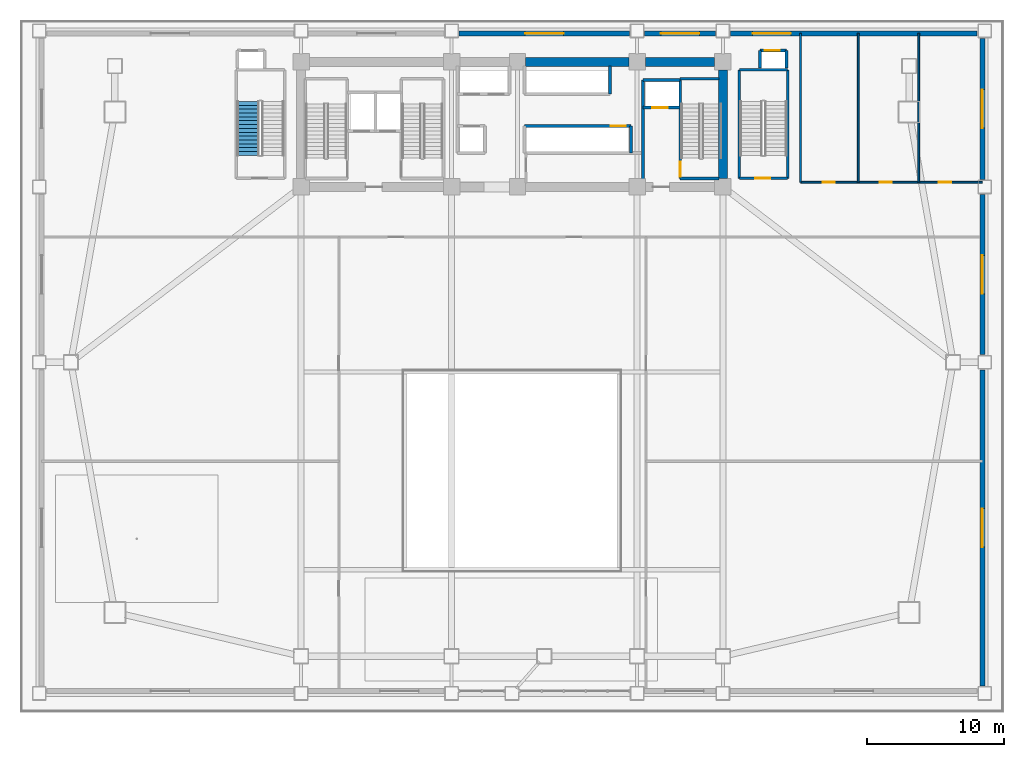
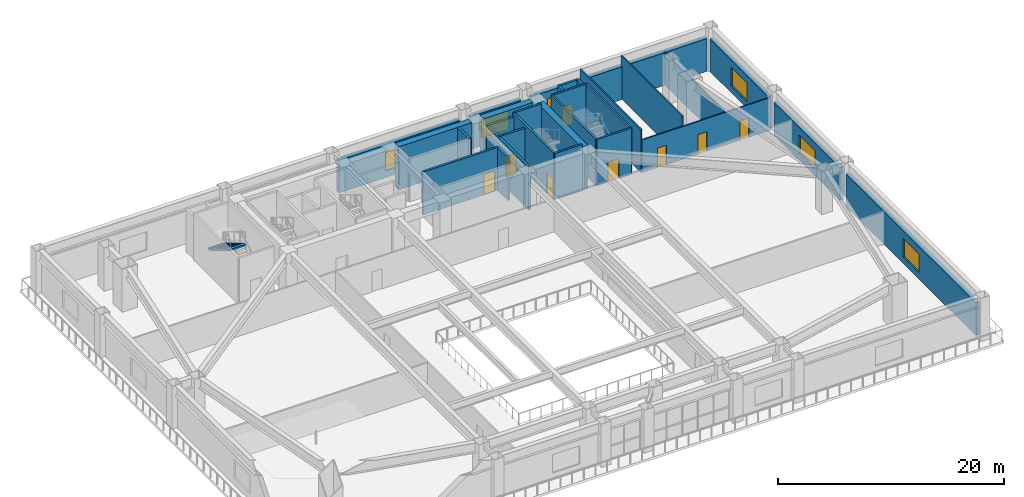
# One storey, part 8 of 14: 29 walls, 8 doors, 6 windows, 1 stair flight, 14 openings, 1 element without a shape of its own.
"""IFC4 building model written with IfcOpenShell, lengths in metres."""

from ifc_helpers import new_model, si_unit, direction, frame, frame_2d, origin, place, context, subcontext, project, spatial, polyline, rectangle, outline, extrude, source, transform, mapped, material, layer, layer_set, type_object, element, fill, aggregate, save


model = new_model("IFC4")

# Units and contexts
model_context = context("Model", 3, precision=1e-05, world=origin(), true_north=direction((0.0, 1.0)))
body_context = subcontext(model_context, "Body", "Model", "MODEL_VIEW")
ifc_project = project(units=[si_unit("LENGTHUNIT", "METRE"), si_unit("AREAUNIT", "SQUARE_METRE"), si_unit("VOLUMEUNIT", "CUBIC_METRE"), si_unit("PLANEANGLEUNIT", "RADIAN"), si_unit("MASSUNIT", "GRAM", prefix="KILO")], contexts=[model_context])

# Site, building, storey
site_placement = place(None, origin())
site = spatial("IfcSite", under=ifc_project, at=site_placement, CompositionType="ELEMENT")
building_placement = place(site_placement, origin())
building = spatial("IfcBuilding", under=site, at=building_placement, Name="Giltprow Tower", CompositionType="ELEMENT")
storey_placement = place(building_placement, frame((0.0, 0.0, 15.199951171875)))
storey = spatial("IfcBuildingStorey", under=building, at=storey_placement, Name="L04", CompositionType="ELEMENT", Elevation=15.199951171875)

# Wall, opening, window
ifc_material_1 = material(Name="Precast concrete C40", Category="concrete")
ifc_layer_1 = layer(ifc_material_1, 0.360107421875, Name="Precast concrete C40")
ifc_layer_set_1 = layer_set([ifc_layer_1], Name="Precast concrete C40")
wall_type_1 = type_object("IfcWallType", Name="EW-POD-STONE-360", PredefinedType="SOLIDWALL", material=ifc_layer_set_1)
wall_1_placement = place(storey_placement, frame((31.35009765625, 48.6201171875, 0.0), z_axis=(0.0, 0.0, 1.0), x_axis=(1.0, 0.0, 0.0)))
wall_1 = element("IfcWall", 1, at=wall_1_placement, inside=storey, type_object=wall_type_1, Name="L04 North Podium Masonry Wall 3", PredefinedType="SOLIDWALL", context=body_context, shape_type="SweptSolid", body=[
    extrude(rectangle(XDim=12.39990234375, YDim=0.360107421875, at=frame_2d((6.199951171875, 0.0))), origin(), (0.0, 0.0, 1.0), 3.530029296875),
])
opening_1_placement = place(wall_1_placement, frame((4.800048828125, 0.0, 0.719970703125)))
opening_1 = element("IfcOpeningElement", 2, at=opening_1_placement, cuts=wall_1, Name="Opening WN31", PredefinedType="OPENING", context=body_context, shape_type="SweptSolid", body=[
    extrude(rectangle(XDim=2.800048828125, YDim=2.0, at=frame_2d((1.39990234375, 1.0))), frame((0.0, 0.18994140625, 0.0), z_axis=(0.0, -1.0, 0.0), x_axis=(1.0, 0.0, 0.0)), (0.0, 0.0, 1.0), 0.380126953125),
])
ifc_material_2 = material(Name="Insulated glass", Category="glass")
window_type = type_object("IfcWindowType", Name="WN-POD-2800x2000", PartitioningType="SINGLE_PANEL", PredefinedType="WINDOW", material=ifc_material_2)
shared_shape_1 = source(origin(), body_context, "Body", "SweptSolid", [
    extrude(rectangle(XDim=2.800048828125, YDim=2.0, at=frame_2d((1.39990234375, 1.0))), frame((0.0, 0.030029296875, 0.0), z_axis=(0.0, -1.0, 0.0), x_axis=(1.0, 0.0, 0.0)), (0.0, 0.0, 1.0), 0.06005859375),
])
window_1_placement = place(opening_1_placement, origin())
window_1 = element("IfcWindow", 3, at=window_1_placement, inside=storey, type_object=window_type, Name="L04 Podium North Window 3", OverallHeight=2.0, OverallWidth=2.800048828125, PartitioningType="SINGLE_PANEL", PredefinedType="WINDOW", context=body_context, shape_type="MappedRepresentation", body=[
    mapped(shared_shape_1, transform((0.0, 0.0, 0.0), x_axis=(1.0, 0.0, 0.0), y_axis=(0.0, 1.0, 0.0), z_axis=(0.0, 0.0, 1.0), scale=1.0)),
])
fill(opening_1, window_1)

wall_2_placement = place(storey_placement, frame((44.85009765625, 48.6201171875, 0.0), z_axis=(0.0, 0.0, 1.0), x_axis=(1.0, 0.0, 0.0)))
wall_2 = element("IfcWall", 4, at=wall_2_placement, inside=storey, type_object=wall_type_1, Name="L04 North Podium Masonry Wall 4", PredefinedType="SOLIDWALL", context=body_context, shape_type="SweptSolid", body=[
    extrude(rectangle(XDim=5.14990234375, YDim=0.360107421875, at=frame_2d((2.574951171875, 0.0))), origin(), (0.0, 0.0, 1.0), 3.530029296875),
])
opening_2_placement = place(wall_2_placement, frame((1.175048828125, 0.0, 0.719970703125)))
opening_2 = element("IfcOpeningElement", 5, at=opening_2_placement, cuts=wall_2, Name="Opening WN31", PredefinedType="OPENING", context=body_context, shape_type="SweptSolid", body=[
    extrude(rectangle(XDim=2.800048828125, YDim=2.0, at=frame_2d((1.39990234375, 1.0))), frame((0.0, 0.18994140625, 0.0), z_axis=(0.0, -1.0, 0.0), x_axis=(1.0, 0.0, 0.0)), (0.0, 0.0, 1.0), 0.380126953125),
])
window_2_placement = place(opening_2_placement, origin())
window_2 = element("IfcWindow", 6, at=window_2_placement, inside=storey, type_object=window_type, Name="L04 Podium North Window 4", OverallHeight=2.0, OverallWidth=2.800048828125, PartitioningType="SINGLE_PANEL", PredefinedType="WINDOW", context=body_context, shape_type="MappedRepresentation", body=[
    mapped(shared_shape_1, transform((0.0, 0.0, 0.0), x_axis=(1.0, 0.0, 0.0), y_axis=(0.0, 1.0, 0.0), z_axis=(0.0, 0.0, 1.0), scale=1.0)),
])
fill(opening_2, window_2)

wall_3_placement = place(storey_placement, frame((51.10009765625, 48.6201171875, 0.0), z_axis=(0.0, 0.0, 1.0), x_axis=(1.0, 0.0, 0.0)))
wall_3 = element("IfcWall", 7, at=wall_3_placement, inside=storey, type_object=wall_type_1, Name="L04 North Podium Masonry Wall 5", PredefinedType="SOLIDWALL", context=body_context, shape_type="SweptSolid", body=[
    extrude(rectangle(XDim=17.949951171875, YDim=0.360107421875, at=frame_2d((8.97509765625, 0.0))), origin(), (0.0, 0.0, 1.0), 3.530029296875),
])
opening_3_placement = place(wall_3_placement, frame((1.60009765625, 0.0, 0.719970703125)))
opening_3 = element("IfcOpeningElement", 8, at=opening_3_placement, cuts=wall_3, Name="Opening WN31", PredefinedType="OPENING", context=body_context, shape_type="SweptSolid", body=[
    extrude(rectangle(XDim=2.800048828125, YDim=2.0, at=frame_2d((1.39990234375, 1.0))), frame((0.0, 0.18994140625, 0.0), z_axis=(0.0, -1.0, 0.0), x_axis=(1.0, 0.0, 0.0)), (0.0, 0.0, 1.0), 0.380126953125),
])
window_3_placement = place(opening_3_placement, origin())
window_3 = element("IfcWindow", 9, at=window_3_placement, inside=storey, type_object=window_type, Name="L04 Podium North Window 5", OverallHeight=2.0, OverallWidth=2.800048828125, PartitioningType="SINGLE_PANEL", PredefinedType="WINDOW", context=body_context, shape_type="MappedRepresentation", body=[
    mapped(shared_shape_1, transform((0.0, 0.0, 0.0), x_axis=(1.0, 0.0, 0.0), y_axis=(0.0, 1.0, 0.0), z_axis=(0.0, 0.0, 1.0), scale=1.0)),
])
fill(opening_3, window_3)

wall_4_placement = place(storey_placement, frame((69.419921875, 1.14990234375, 0.0), z_axis=(0.0, 0.0, 1.0), x_axis=(0.0, 1.0, 0.0)))
wall_4 = element("IfcWall", 10, at=wall_4_placement, inside=storey, type_object=wall_type_1, Name="L04 E Podium Masonry Wall 1", PredefinedType="SOLIDWALL", context=body_context, shape_type="SweptSolid", body=[
    extrude(rectangle(XDim=23.0, YDim=0.360107421875, at=frame_2d((11.5, 0.0))), origin(), (0.0, 0.0, 1.0), 3.530029296875),
])
opening_4_placement = place(wall_4_placement, frame((10.10009765625, 0.0, 0.719970703125)))
opening_4 = element("IfcOpeningElement", 11, at=opening_4_placement, cuts=wall_4, Name="Opening WN31", PredefinedType="OPENING", context=body_context, shape_type="SweptSolid", body=[
    extrude(rectangle(XDim=2.800048828125, YDim=2.0, at=frame_2d((1.39990234375, 1.0))), frame((0.0, 0.18994140625, 0.0), z_axis=(0.0, -1.0, 0.0), x_axis=(1.0, 0.0, 0.0)), (0.0, 0.0, 1.0), 0.380126953125),
])
window_4_placement = place(opening_4_placement, origin())
window_4 = element("IfcWindow", 12, at=window_4_placement, inside=storey, type_object=window_type, Name="L04 Podium E Window 1", OverallHeight=2.0, OverallWidth=2.800048828125, PartitioningType="SINGLE_PANEL", PredefinedType="WINDOW", context=body_context, shape_type="MappedRepresentation", body=[
    mapped(shared_shape_1, transform((0.0, 0.0, 0.0), x_axis=(1.0, 0.0, 0.0), y_axis=(0.0, 1.0, 0.0), z_axis=(0.0, 0.0, 1.0), scale=1.0)),
])
fill(opening_4, window_4)

wall_5_placement = place(storey_placement, frame((69.419921875, 25.25, 0.0), z_axis=(0.0, 0.0, 1.0), x_axis=(0.0, 1.0, 0.0)))
wall_5 = element("IfcWall", 13, at=wall_5_placement, inside=storey, type_object=wall_type_1, Name="L04 E Podium Masonry Wall 2", PredefinedType="SOLIDWALL", context=body_context, shape_type="SweptSolid", body=[
    extrude(rectangle(XDim=11.64990234375, YDim=0.360107421875, at=frame_2d((5.824951171875, 0.0))), origin(), (0.0, 0.0, 1.0), 3.530029296875),
])
opening_5_placement = place(wall_5_placement, frame((4.425048828125, 0.0, 0.719970703125)))
opening_5 = element("IfcOpeningElement", 14, at=opening_5_placement, cuts=wall_5, Name="Opening WN31", PredefinedType="OPENING", context=body_context, shape_type="SweptSolid", body=[
    extrude(rectangle(XDim=2.800048828125, YDim=2.0, at=frame_2d((1.39990234375, 1.0))), frame((0.0, 0.18994140625, 0.0), z_axis=(0.0, -1.0, 0.0), x_axis=(1.0, 0.0, 0.0)), (0.0, 0.0, 1.0), 0.380126953125),
])
window_5_placement = place(opening_5_placement, origin())
window_5 = element("IfcWindow", 15, at=window_5_placement, inside=storey, type_object=window_type, Name="L04 Podium E Window 2", OverallHeight=2.0, OverallWidth=2.800048828125, PartitioningType="SINGLE_PANEL", PredefinedType="WINDOW", context=body_context, shape_type="MappedRepresentation", body=[
    mapped(shared_shape_1, transform((0.0, 0.0, 0.0), x_axis=(1.0, 0.0, 0.0), y_axis=(0.0, 1.0, 0.0), z_axis=(0.0, 0.0, 1.0), scale=1.0)),
])
fill(opening_5, window_5)

wall_6_placement = place(storey_placement, frame((69.419921875, 38.0, 0.0), z_axis=(0.0, 0.0, 1.0), x_axis=(0.0, 1.0, 0.0)))
wall_6 = element("IfcWall", 16, at=wall_6_placement, inside=storey, type_object=wall_type_1, Name="L04 E Podium Masonry Wall 3", PredefinedType="SOLIDWALL", context=body_context, shape_type="SweptSolid", body=[
    extrude(rectangle(XDim=10.25, YDim=0.360107421875, at=frame_2d((5.125, 0.0))), origin(), (0.0, 0.0, 1.0), 3.530029296875),
])
opening_6_placement = place(wall_6_placement, frame((3.72509765625, 0.0, 0.719970703125)))
opening_6 = element("IfcOpeningElement", 17, at=opening_6_placement, cuts=wall_6, Name="Opening WN31", PredefinedType="OPENING", context=body_context, shape_type="SweptSolid", body=[
    extrude(rectangle(XDim=2.800048828125, YDim=2.0, at=frame_2d((1.39990234375, 1.0))), frame((0.0, 0.18994140625, 0.0), z_axis=(0.0, -1.0, 0.0), x_axis=(1.0, 0.0, 0.0)), (0.0, 0.0, 1.0), 0.380126953125),
])
window_6_placement = place(opening_6_placement, origin())
window_6 = element("IfcWindow", 18, at=window_6_placement, inside=storey, type_object=window_type, Name="L04 Podium E Window 3", OverallHeight=2.0, OverallWidth=2.800048828125, PartitioningType="SINGLE_PANEL", PredefinedType="WINDOW", context=body_context, shape_type="MappedRepresentation", body=[
    mapped(shared_shape_1, transform((0.0, 0.0, 0.0), x_axis=(1.0, 0.0, 0.0), y_axis=(0.0, 1.0, 0.0), z_axis=(0.0, 0.0, 1.0), scale=1.0)),
])
fill(opening_6, window_6)

# Wall, opening, door
ifc_material_3 = material(Name="Concrete C40", Category="concrete")
ifc_layer_2 = layer(ifc_material_3, 0.219970703125, Name="Concrete C40")
ifc_layer_set_2 = layer_set([ifc_layer_2], Name="Concrete C40")
wall_type_2 = type_object("IfcWallType", Name="IW-SHAFT-220", PredefinedType="SOLIDWALL", material=ifc_layer_set_2)
wall_7_placement = place(storey_placement, frame((44.719970703125, 43.219970703125, 0.0), z_axis=(0.0, 0.0, 1.0), x_axis=(1.0, 0.0, 0.0)))
wall_7 = element("IfcWall", 19, at=wall_7_placement, inside=storey, type_object=wall_type_2, Name="L04 FFL2 Front Shaft Wall", PredefinedType="SOLIDWALL", context=body_context, shape_type="SweptSolid", body=[
    extrude(rectangle(XDim=2.719970703125, YDim=0.219970703125, at=frame_2d((1.35986328125, 0.0))), origin(), (0.0, 0.0, 1.0), 4.650146484375),
])
opening_7_placement = place(wall_7_placement, frame((0.699951171875, 0.0, 0.0)))
opening_7 = element("IfcOpeningElement", 20, at=opening_7_placement, cuts=wall_7, Name="Opening LD-11", PredefinedType="OPENING", context=body_context, shape_type="SweptSolid", body=[
    extrude(rectangle(XDim=1.10009765625, YDim=2.199951171875, at=frame_2d((0.550048828125, 1.10009765625))), frame((0.0, 0.119873046875, 0.0), z_axis=(0.0, -1.0, 0.0), x_axis=(1.0, 0.0, 0.0)), (0.0, 0.0, 1.0), 0.239990234375),
])
ifc_material_4 = material(Name="Stainless steel", Category="steel")
door_type_1 = type_object("IfcDoorType", Name="DR-LIFT-LD1100", OperationType="SLIDING_TO_LEFT", PredefinedType="DOOR", material=ifc_material_4)
shared_shape_2 = source(origin(), body_context, "Body", "SweptSolid", [
    extrude(rectangle(XDim=1.10009765625, YDim=2.199951171875, at=frame_2d((0.550048828125, 1.10009765625))), frame((0.0, 0.02490234375, 0.0), z_axis=(0.0, -1.0, 0.0), x_axis=(1.0, 0.0, 0.0)), (0.0, 0.0, 1.0), 0.050048828125),
])
door_1_placement = place(opening_7_placement, origin())
door_1 = element("IfcDoor", 21, at=door_1_placement, inside=storey, type_object=door_type_1, Name="L04 FFL2 Landing Door", OperationType="SLIDING_TO_LEFT", OverallHeight=2.199951171875, OverallWidth=1.10009765625, PredefinedType="DOOR", context=body_context, shape_type="MappedRepresentation", body=[
    mapped(shared_shape_2, transform((0.0, 0.0, 0.0), x_axis=(1.0, 0.0, 0.0), y_axis=(0.0, 1.0, 0.0), z_axis=(0.0, 0.0, 1.0), scale=1.0)),
])
fill(opening_7, door_1)

# Walls
wall_8_placement = place(storey_placement, frame((44.719970703125, 45.219970703125, 0.0), z_axis=(0.0, 0.0, 1.0), x_axis=(1.0, 0.0, 0.0)))
element("IfcWall", 22, at=wall_8_placement, inside=storey, type_object=wall_type_2, Name="L04 FFL2 Back Shaft Wall", PredefinedType="SOLIDWALL", context=body_context, shape_type="SweptSolid", body=[
    extrude(rectangle(XDim=2.719970703125, YDim=0.219970703125, at=frame_2d((1.35986328125, 0.0))), origin(), (0.0, 0.0, 1.0), 4.650146484375),
])
wall_9_placement = place(storey_placement, frame((44.719970703125, 37.7548828125, 0.0), z_axis=(0.0, 0.0, 1.0), x_axis=(0.0, 1.0, 0.0)))
element("IfcWall", 23, at=wall_9_placement, inside=storey, type_object=wall_type_2, Name="L04 East Firefighting Lobby West Wall", PredefinedType="SOLIDWALL", context=body_context, shape_type="SweptSolid", body=[
    extrude(rectangle(XDim=7.465087890625, YDim=0.219970703125, at=frame_2d((3.732421875, 0.0))), origin(), (0.0, 0.0, 1.0), 4.650146484375),
])

# Wall, opening, door
wall_10_placement = place(storey_placement, frame((53.22998046875, 47.3798828125, 0.0), z_axis=(0.0, 0.0, 1.0), x_axis=(1.0, 0.0, 0.0)))
wall_10 = element("IfcWall", 24, at=wall_10_placement, inside=storey, type_object=wall_type_2, Name="L04 PL-P2 Front Wall", PredefinedType="SOLIDWALL", context=body_context, shape_type="SweptSolid", body=[
    extrude(rectangle(XDim=1.9599609375, YDim=0.219970703125, at=frame_2d((0.97998046875, 0.0))), origin(), (0.0, 0.0, 1.0), 4.650146484375),
])
opening_8_placement = place(wall_10_placement, frame((0.35009765625, 0.0, 0.0)))
opening_8 = element("IfcOpeningElement", 25, at=opening_8_placement, cuts=wall_10, Name="Opening LD-11", PredefinedType="OPENING", context=body_context, shape_type="SweptSolid", body=[
    extrude(rectangle(XDim=1.10009765625, YDim=2.199951171875, at=frame_2d((0.550048828125, 1.10009765625))), frame((0.0, 0.119873046875, 0.0), z_axis=(0.0, -1.0, 0.0), x_axis=(1.0, 0.0, 0.0)), (0.0, 0.0, 1.0), 0.239990234375),
])
door_2_placement = place(opening_8_placement, origin())
door_2 = element("IfcDoor", 26, at=door_2_placement, inside=storey, type_object=door_type_1, Name="L04 PL-P2 Landing Door", OperationType="SLIDING_TO_LEFT", OverallHeight=2.199951171875, OverallWidth=1.10009765625, PredefinedType="DOOR", context=body_context, shape_type="MappedRepresentation", body=[
    mapped(shared_shape_2, transform((0.0, 0.0, 0.0), x_axis=(1.0, 0.0, 0.0), y_axis=(0.0, 1.0, 0.0), z_axis=(0.0, 0.0, 1.0), scale=1.0)),
])
fill(opening_8, door_2)

# Walls
for number, where, z_axis, x_axis, name in (
    (27, (53.22998046875, 46.090087890625, 0.0), (0.0, 0.0, 1.0), (0.0, 1.0, 0.0), "L04 PL-P2 West Shaft Wall"),
    (28, (55.18994140625, 46.090087890625, 0.0), (0.0, 0.0, 1.0), (0.0, 1.0, 0.0), "L04 PL-P2 East Shaft Wall"),
):
    element("IfcWall", number, at=place(storey_placement, frame(where, z_axis=z_axis, x_axis=x_axis)), inside=storey, type_object=wall_type_2, Name=name, PredefinedType="SOLIDWALL", context=body_context, shape_type="SweptSolid", body=[
        extrude(rectangle(XDim=1.289794921875, YDim=0.219970703125, at=frame_2d((0.64501953125, 0.0))), origin(), (0.0, 0.0, 1.0), 4.650146484375),
    ])
wall_11_placement = place(storey_placement, frame((42.320068359375, 44.219970703125, 0.0), z_axis=(0.0, 0.0, 1.0), x_axis=(0.0, 1.0, 0.0)))
element("IfcWall", 29, at=wall_11_placement, inside=storey, type_object=wall_type_2, Name="L04 North East Lift Shaft East Closure", PredefinedType="SOLIDWALL", context=body_context, shape_type="SweptSolid", body=[
    extrude(rectangle(XDim=2.025146484375, YDim=0.219970703125, at=frame_2d((1.0126953125, 0.0))), origin(), (0.0, 0.0, 1.0), 4.650146484375),
])

# Wall, opening, door
wall_12_placement = place(storey_placement, frame((36.1201171875, 41.8798828125, 0.0), z_axis=(0.0, 0.0, 1.0), x_axis=(1.0, 0.0, 0.0)))
wall_12 = element("IfcWall", 30, at=wall_12_placement, inside=storey, type_object=wall_type_2, Name="L04 South East Lift Shaft Front Wall", PredefinedType="SOLIDWALL", context=body_context, shape_type="SweptSolid", body=[
    extrude(rectangle(XDim=7.72998046875, YDim=0.219970703125, at=frame_2d((3.864990234375, 0.0))), origin(), (0.0, 0.0, 1.0), 4.650146484375),
])
opening_9_placement = place(wall_12_placement, frame((6.260009765625, 0.0, 0.0)))
opening_9 = element("IfcOpeningElement", 31, at=opening_9_placement, cuts=wall_12, Name="Opening LD-11", PredefinedType="OPENING", context=body_context, shape_type="SweptSolid", body=[
    extrude(rectangle(XDim=1.10009765625, YDim=2.199951171875, at=frame_2d((0.550048828125, 1.10009765625))), frame((0.0, 0.119873046875, 0.0), z_axis=(0.0, -1.0, 0.0), x_axis=(1.0, 0.0, 0.0)), (0.0, 0.0, 1.0), 0.239990234375),
])
door_3_placement = place(opening_9_placement, origin())
door_3 = element("IfcDoor", 32, at=door_3_placement, inside=storey, type_object=door_type_1, Name="L04 PL-L4 Landing Door", OperationType="SLIDING_TO_LEFT", OverallHeight=2.199951171875, OverallWidth=1.10009765625, PredefinedType="DOOR", context=body_context, shape_type="MappedRepresentation", body=[
    mapped(shared_shape_2, transform((0.0, 0.0, 0.0), x_axis=(1.0, 0.0, 0.0), y_axis=(0.0, 1.0, 0.0), z_axis=(0.0, 0.0, 1.0), scale=1.0)),
])
fill(opening_9, door_3)

# Wall
wall_13_placement = place(storey_placement, frame((43.85009765625, 39.919921875, 0.0), z_axis=(0.0, 0.0, 1.0), x_axis=(0.0, 1.0, 0.0)))
element("IfcWall", 33, at=wall_13_placement, inside=storey, type_object=wall_type_2, Name="L04 Lift Bank South-East Closure", PredefinedType="SOLIDWALL", context=body_context, shape_type="SweptSolid", body=[
    extrude(rectangle(XDim=1.9599609375, YDim=0.219970703125, at=frame_2d((0.97998046875, 0.0))), origin(), (0.0, 0.0, 1.0), 4.650146484375),
])

# Wall, opening, door
ifc_layer_3 = layer(ifc_material_3, 0.199951171875, Name="Concrete C40")
ifc_layer_set_3 = layer_set([ifc_layer_3], Name="Concrete C40")
wall_type_3 = type_object("IfcWallType", Name="IW-STAIR-200", PredefinedType="SOLIDWALL", material=ifc_layer_set_3)
wall_14_placement = place(storey_placement, frame((47.43994140625, 38.070068359375, 0.0), z_axis=(0.0, 0.0, 1.0), x_axis=(0.0, 1.0, 0.0)))
wall_14 = element("IfcWall", 34, at=wall_14_placement, inside=storey, type_object=wall_type_3, Name="L04 Stair ST-3 West Bearing Wall", PredefinedType="SOLIDWALL", context=body_context, shape_type="SweptSolid", body=[
    extrude(rectangle(XDim=7.25, YDim=0.199951171875, at=frame_2d((3.625, 0.0))), origin(), (0.0, 0.0, 1.0), 5.0),
])
opening_10_placement = place(wall_14_placement, frame((0.110107421875, 0.0, 0.0)))
opening_10 = element("IfcOpeningElement", 35, at=opening_10_placement, cuts=wall_14, Name="Opening ID33", PredefinedType="OPENING", context=body_context, shape_type="SweptSolid", body=[
    extrude(rectangle(XDim=1.10009765625, YDim=2.14990234375, at=frame_2d((0.550048828125, 1.074951171875))), frame((0.0, 0.10986328125, 0.0), z_axis=(0.0, -1.0, 0.0), x_axis=(1.0, 0.0, 0.0)), (0.0, 0.0, 1.0), 0.219970703125),
])
ifc_material_5 = material(Name="Steel fire leaf", Category="steel")
door_type_2 = type_object("IfcDoorType", Name="DR-STAIR-1100", OperationType="SINGLE_SWING_LEFT", PredefinedType="DOOR", material=ifc_material_5)
shared_shape_3 = source(origin(), body_context, "Body", "SweptSolid", [
    extrude(rectangle(XDim=1.10009765625, YDim=2.14990234375, at=frame_2d((0.550048828125, 1.074951171875))), frame((0.0, 0.02490234375, 0.0), z_axis=(0.0, -1.0, 0.0), x_axis=(1.0, 0.0, 0.0)), (0.0, 0.0, 1.0), 0.050048828125),
])
door_4_placement = place(opening_10_placement, origin())
door_4 = element("IfcDoor", 36, at=door_4_placement, inside=storey, type_object=door_type_2, Name="L04 Stair ST-3 Fire Door", OperationType="SINGLE_SWING_RIGHT", OverallHeight=2.14990234375, OverallWidth=1.10009765625, PredefinedType="DOOR", context=body_context, shape_type="MappedRepresentation", body=[
    mapped(shared_shape_3, transform((0.0, 0.0, 0.0), x_axis=(1.0, 0.0, 0.0), y_axis=(0.0, 1.0, 0.0), z_axis=(0.0, 0.0, 1.0), scale=1.0)),
])
fill(opening_10, door_4)

# Walls
for number, where, z_axis, x_axis, name in (
    (37, (47.43994140625, 45.320068359375, 0.0), (0.0, 0.0, 1.0), (1.0, 0.0, 0.0), "L04 Stair ST-3 North Bearing Wall"),
    (38, (47.43994140625, 38.070068359375, 0.0), (0.0, 0.0, 1.0), (1.0, 0.0, 0.0), "L04 Stair ST-3 South Bearing Wall"),
):
    element("IfcWall", number, at=place(storey_placement, frame(where, z_axis=z_axis, x_axis=x_axis)), inside=storey, type_object=wall_type_3, Name=name, PredefinedType="SOLIDWALL", context=body_context, shape_type="SweptSolid", body=[
        extrude(rectangle(XDim=2.80517578125, YDim=0.199951171875, at=frame_2d((1.402587890625, 0.0))), origin(), (0.0, 0.0, 1.0), 5.0),
    ])
for number, where, z_axis, x_axis, name in (
    (39, (51.739990234375, 38.080078125, 0.0), (0.0, 0.0, 1.0), (0.0, 1.0, 0.0), "L04 Podium Stair ST-P2 West Bearing Wall"),
    (40, (55.260009765625, 38.080078125, 0.0), (0.0, 0.0, 1.0), (0.0, 1.0, 0.0), "L04 Podium Stair ST-P2 East Bearing Wall"),
):
    element("IfcWall", number, at=place(storey_placement, frame(where, z_axis=z_axis, x_axis=x_axis)), inside=storey, type_object=wall_type_3, Name=name, PredefinedType="SOLIDWALL", context=body_context, shape_type="SweptSolid", body=[
        extrude(rectangle(XDim=7.89990234375, YDim=0.199951171875, at=frame_2d((3.949951171875, 0.0))), origin(), (0.0, 0.0, 1.0), 5.0),
    ])
wall_15_placement = place(storey_placement, frame((51.739990234375, 45.97998046875, 0.0), z_axis=(0.0, 0.0, 1.0), x_axis=(1.0, 0.0, 0.0)))
element("IfcWall", 41, at=wall_15_placement, inside=storey, type_object=wall_type_3, Name="L04 Podium Stair ST-P2 North Bearing Wall", PredefinedType="SOLIDWALL", context=body_context, shape_type="SweptSolid", body=[
    extrude(rectangle(XDim=3.52001953125, YDim=0.199951171875, at=frame_2d((1.760009765625, 0.0))), origin(), (0.0, 0.0, 1.0), 5.0),
])

# Wall, opening, door
wall_16_placement = place(storey_placement, frame((51.739990234375, 38.080078125, 0.0), z_axis=(0.0, 0.0, 1.0), x_axis=(1.0, 0.0, 0.0)))
wall_16 = element("IfcWall", 42, at=wall_16_placement, inside=storey, type_object=wall_type_3, Name="L04 Podium Stair ST-P2 South Bearing Wall", PredefinedType="SOLIDWALL", context=body_context, shape_type="SweptSolid", body=[
    extrude(rectangle(XDim=3.52001953125, YDim=0.199951171875, at=frame_2d((1.760009765625, 0.0))), origin(), (0.0, 0.0, 1.0), 5.0),
])
opening_11_placement = place(wall_16_placement, frame((1.14990234375, 0.0, 0.0)))
opening_11 = element("IfcOpeningElement", 43, at=opening_11_placement, cuts=wall_16, Name="Opening ID33", PredefinedType="OPENING", context=body_context, shape_type="SweptSolid", body=[
    extrude(rectangle(XDim=1.10009765625, YDim=2.14990234375, at=frame_2d((0.550048828125, 1.074951171875))), frame((0.0, 0.10986328125, 0.0), z_axis=(0.0, -1.0, 0.0), x_axis=(1.0, 0.0, 0.0)), (0.0, 0.0, 1.0), 0.219970703125),
])
door_5_placement = place(opening_11_placement, origin())
door_5 = element("IfcDoor", 44, at=door_5_placement, inside=storey, type_object=door_type_2, Name="L04 Podium Stair ST-P2 Door", OperationType="SINGLE_SWING_RIGHT", OverallHeight=2.14990234375, OverallWidth=1.10009765625, PredefinedType="DOOR", context=body_context, shape_type="MappedRepresentation", body=[
    mapped(shared_shape_3, transform((0.0, 0.0, 0.0), x_axis=(1.0, 0.0, 0.0), y_axis=(0.0, 1.0, 0.0), z_axis=(0.0, 0.0, 1.0), scale=1.0)),
])
fill(opening_11, door_5)

# Wall
ifc_material_6 = material(Name="Concrete C30", Category="concrete")
ifc_layer_4 = layer(ifc_material_6, 0.1298828125, Name="Concrete C30")
ifc_layer_set_4 = layer_set([ifc_layer_4], Name="Concrete C30")
wall_type_4 = type_object("IfcWallType", Name="IW-WET-130", PredefinedType="PARTITIONING", material=ifc_layer_set_4)
wall_17_placement = place(storey_placement, frame((56.199951171875, 37.800048828125, 0.0), z_axis=(0.0, 0.0, 1.0), x_axis=(0.0, 1.0, 0.0)))
element("IfcWall", 45, at=wall_17_placement, inside=storey, type_object=wall_type_4, Name="L04 Public Washrooms West Wall", PredefinedType="PARTITIONING", context=body_context, shape_type="SweptSolid", body=[
    extrude(rectangle(XDim=10.820068359375, YDim=0.1298828125, at=frame_2d((5.41015625, 0.0))), origin(), (0.0, 0.0, 1.0), 4.650146484375),
])

# Wall, openings, doors
wall_18_placement = place(storey_placement, frame((56.199951171875, 37.800048828125, 0.0), z_axis=(0.0, 0.0, 1.0), x_axis=(1.0, 0.0, 0.0)))
wall_18 = element("IfcWall", 46, at=wall_18_placement, inside=storey, type_object=wall_type_4, Name="L04 Public Washrooms South Wall", PredefinedType="PARTITIONING", context=body_context, shape_type="SweptSolid", body=[
    extrude(rectangle(XDim=13.219970703125, YDim=0.1298828125, at=frame_2d((6.60986328125, 0.0))), origin(), (0.0, 0.0, 1.0), 3.53515625),
])
opening_12_placement = place(wall_18_placement, frame((1.60009765625, 0.0, 0.0)))
opening_12 = element("IfcOpeningElement", 47, at=opening_12_placement, cuts=wall_18, Name="Opening ID15", PredefinedType="OPENING", context=body_context, shape_type="SweptSolid", body=[
    extrude(rectangle(XDim=0.89990234375, YDim=2.10009765625, at=frame_2d((0.449951171875, 1.050048828125))), frame((0.0, 0.074951171875, 0.0), z_axis=(0.0, -1.0, 0.0), x_axis=(1.0, 0.0, 0.0)), (0.0, 0.0, 1.0), 0.14990234375),
])
opening_13_placement = place(wall_18_placement, frame((5.75, 0.0, 0.0)))
opening_13 = element("IfcOpeningElement", 48, at=opening_13_placement, cuts=wall_18, Name="Opening ID15", PredefinedType="OPENING", context=body_context, shape_type="SweptSolid", body=[
    extrude(rectangle(XDim=0.89990234375, YDim=2.10009765625, at=frame_2d((0.449951171875, 1.050048828125))), frame((0.0, 0.074951171875, 0.0), z_axis=(0.0, -1.0, 0.0), x_axis=(1.0, 0.0, 0.0)), (0.0, 0.0, 1.0), 0.14990234375),
])
opening_14_placement = place(wall_18_placement, frame((10.050048828125, 0.0, 0.0)))
opening_14 = element("IfcOpeningElement", 49, at=opening_14_placement, cuts=wall_18, Name="Opening ID15", PredefinedType="OPENING", context=body_context, shape_type="SweptSolid", body=[
    extrude(rectangle(XDim=0.89990234375, YDim=2.10009765625, at=frame_2d((0.449951171875, 1.050048828125))), frame((0.0, 0.074951171875, 0.0), z_axis=(0.0, -1.0, 0.0), x_axis=(1.0, 0.0, 0.0)), (0.0, 0.0, 1.0), 0.14990234375),
])
ifc_material_7 = material(Name="Engineered timber", Category="wood")
door_type_3 = type_object("IfcDoorType", Name="DR-WC-900", OperationType="SINGLE_SWING_LEFT", PredefinedType="DOOR", material=ifc_material_7)
shared_shape_4 = source(origin(), body_context, "Body", "SweptSolid", [
    extrude(rectangle(XDim=0.89990234375, YDim=2.10009765625, at=frame_2d((0.449951171875, 1.050048828125))), frame((0.0, 0.02490234375, 0.0), z_axis=(0.0, -1.0, 0.0), x_axis=(1.0, 0.0, 0.0)), (0.0, 0.0, 1.0), 0.050048828125),
])
door_6_placement = place(opening_12_placement, origin())
door_6 = element("IfcDoor", 50, at=door_6_placement, inside=storey, type_object=door_type_3, Name="L04 Male Public Restroom Door", OperationType="SINGLE_SWING_RIGHT", OverallHeight=2.10009765625, OverallWidth=0.89990234375, PredefinedType="DOOR", context=body_context, shape_type="MappedRepresentation", body=[
    mapped(shared_shape_4, transform((0.0, 0.0, 0.0), x_axis=(1.0, 0.0, 0.0), y_axis=(0.0, 1.0, 0.0), z_axis=(0.0, 0.0, 1.0), scale=1.0)),
])
fill(opening_12, door_6)
door_7_placement = place(opening_13_placement, origin())
door_7 = element("IfcDoor", 51, at=door_7_placement, inside=storey, type_object=door_type_3, Name="L04 Female Public Restroom Door", OperationType="SINGLE_SWING_LEFT", OverallHeight=2.10009765625, OverallWidth=0.89990234375, PredefinedType="DOOR", context=body_context, shape_type="MappedRepresentation", body=[
    mapped(shared_shape_4, transform((0.0, 0.0, 0.0), x_axis=(1.0, 0.0, 0.0), y_axis=(0.0, 1.0, 0.0), z_axis=(0.0, 0.0, 1.0), scale=1.0)),
])
fill(opening_13, door_7)
door_8_placement = place(opening_14_placement, origin())
door_8 = element("IfcDoor", 52, at=door_8_placement, inside=storey, type_object=door_type_3, Name="L04 Accessible Restroom Door", OperationType="SINGLE_SWING_RIGHT", OverallHeight=2.10009765625, OverallWidth=0.89990234375, PredefinedType="DOOR", context=body_context, shape_type="MappedRepresentation", body=[
    mapped(shared_shape_4, transform((0.0, 0.0, 0.0), x_axis=(1.0, 0.0, 0.0), y_axis=(0.0, 1.0, 0.0), z_axis=(0.0, 0.0, 1.0), scale=1.0)),
])
fill(opening_14, door_8)

# Walls
wall_19_placement = place(storey_placement, frame((60.39990234375, 37.800048828125, 0.0), z_axis=(0.0, 0.0, 1.0), x_axis=(0.0, 1.0, 0.0)))
element("IfcWall", 53, at=wall_19_placement, inside=storey, type_object=wall_type_4, Name="L04 Washroom Divider 1", PredefinedType="PARTITIONING", context=body_context, shape_type="SweptSolid", body=[
    extrude(rectangle(XDim=10.820068359375, YDim=0.1298828125, at=frame_2d((5.41015625, 0.0))), origin(), (0.0, 0.0, 1.0), 4.650146484375),
])
wall_20_placement = place(storey_placement, frame((64.800048828125, 37.800048828125, 0.0), z_axis=(0.0, 0.0, 1.0), x_axis=(0.0, 1.0, 0.0)))
element("IfcWall", 54, at=wall_20_placement, inside=storey, type_object=wall_type_4, Name="L04 Washroom Divider 2", PredefinedType="PARTITIONING", context=body_context, shape_type="SweptSolid", body=[
    extrude(rectangle(XDim=10.820068359375, YDim=0.1298828125, at=frame_2d((5.41015625, 0.0))), origin(), (0.0, 0.0, 1.0), 3.53515625),
])
ifc_material_8 = material(Name="Concrete C60", Category="concrete")
ifc_layer_5 = layer(ifc_material_8, 0.64990234375, Name="Concrete C60")
ifc_layer_set_5 = layer_set([ifc_layer_5], Name="Concrete C60")
wall_type_5 = type_object("IfcWallType", Name="SW-INT-650-C60", PredefinedType="SHEAR", material=ifc_layer_set_5)
wall_21_placement = place(storey_placement, frame((36.199951171875, 46.550048828125, 0.0), z_axis=(0.0, 0.0, 1.0), x_axis=(1.0, 0.0, 0.0)))
element("IfcWall", 55, at=wall_21_placement, inside=storey, type_object=wall_type_5, Name="L04 North Rear Core Shear Wall 3", PredefinedType="SHEAR", context=body_context, shape_type="SweptSolid", body=[
    extrude(rectangle(XDim=7.5, YDim=0.64990234375, at=frame_2d((3.75, 0.0))), origin(), (0.0, 0.0, 1.0), 4.650146484375),
])
wall_22_placement = place(storey_placement, frame((44.89990234375, 46.550048828125, 0.0), z_axis=(0.0, 0.0, 1.0), x_axis=(1.0, 0.0, 0.0)))
element("IfcWall", 56, at=wall_22_placement, inside=storey, type_object=wall_type_5, Name="L04 North Rear Core Shear Wall 4", PredefinedType="SHEAR", context=body_context, shape_type="SweptSolid", body=[
    extrude(rectangle(XDim=5.050048828125, YDim=0.64990234375, at=frame_2d((2.52490234375, 0.0))), origin(), (0.0, 0.0, 1.0), 4.650146484375),
])
wall_23_placement = place(storey_placement, frame((50.550048828125, 38.050048828125, 0.0), z_axis=(0.0, 0.0, 1.0), x_axis=(0.0, 1.0, 0.0)))
element("IfcWall", 57, at=wall_23_placement, inside=storey, type_object=wall_type_5, Name="L04 E Rear Core Shear Wall", PredefinedType="SHEAR", context=body_context, shape_type="SweptSolid", body=[
    extrude(rectangle(XDim=7.89990234375, YDim=0.64990234375, at=frame_2d((3.949951171875, 0.0))), origin(), (0.0, 0.0, 1.0), 4.650146484375),
])

# Stair, stair flight
stair_type = type_object("IfcStairType", Name="STR-ST-P1", PredefinedType="HALF_TURN_STAIR", material=ifc_material_3)
stair_placement = place(storey_placement, origin())
stair = element("IfcStair", 58, at=stair_placement, inside=storey, type_object=stair_type, Name="L04 Podium Exit Stair ST-P1", PredefinedType="HALF_TURN_STAIR")
stair_flight_type = type_object("IfcStairFlightType", Name="SFL-ST-P1", PredefinedType="STRAIGHT", material=ifc_material_3)
stair_flight_placement = place(storey_placement, frame((16.0, 43.669921875, 2.5), z_axis=(0.0, 0.0, 1.0), x_axis=(0.0, -1.0, 0.0)))
stair_flight = element("IfcStairFlight", 59, at=stair_flight_placement, type_object=stair_flight_type, Name="ST-P1 flight 2", NumberOfRisers=15, NumberOfTreads=14, PredefinedType="STRAIGHT", RiserHeight=0.166666667, TreadLength=0.28, context=body_context, shape_type="SweptSolid", body=[
    extrude(outline(polyline([(0.0, 0.0), (0.0, 0.166748046875), (0.280029296875, 0.166748046875), (0.280029296875, 0.333251953125), (0.56005859375, 0.333251953125), (0.56005859375, 0.5), (0.840087890625, 0.5), (0.840087890625, 0.666748046875), (1.1201171875, 0.666748046875), (1.1201171875, 0.833251953125), (1.39990234375, 0.833251953125), (1.39990234375, 1.0), (1.679931640625, 1.0), (1.679931640625, 1.166748046875), (1.9599609375, 1.166748046875), (1.9599609375, 1.333251953125), (2.239990234375, 1.333251953125), (2.239990234375, 1.5), (2.52001953125, 1.5), (2.52001953125, 1.666748046875), (2.800048828125, 1.666748046875), (2.800048828125, 1.833251953125), (3.080078125, 1.833251953125), (3.080078125, 2.0), (3.360107421875, 2.0), (3.360107421875, 2.166748046875), (3.639892578125, 2.166748046875), (3.639892578125, 2.333251953125), (3.919921875, 2.333251953125), (3.919921875, 2.5), (3.919921875, 2.158935546875), (0.29296875, 0.0), (0.0, 0.0)])), frame((0.0, 0.800048828125, 0.0), z_axis=(0.0, -1.0, 0.0), x_axis=(1.0, 0.0, 0.0)), (0.0, 0.0, 1.0), 1.60009765625),
])
aggregate(stair, [stair_flight])

save(model, "model.ifc")
